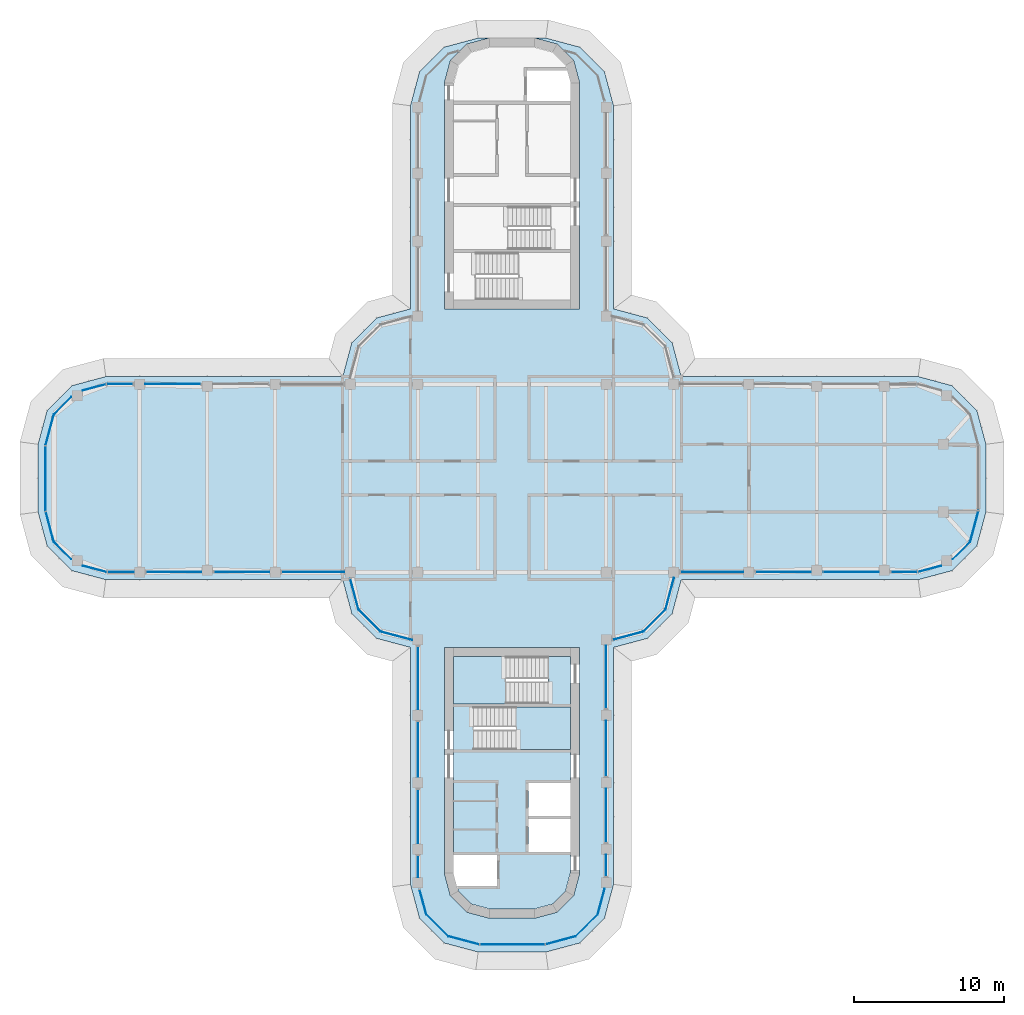
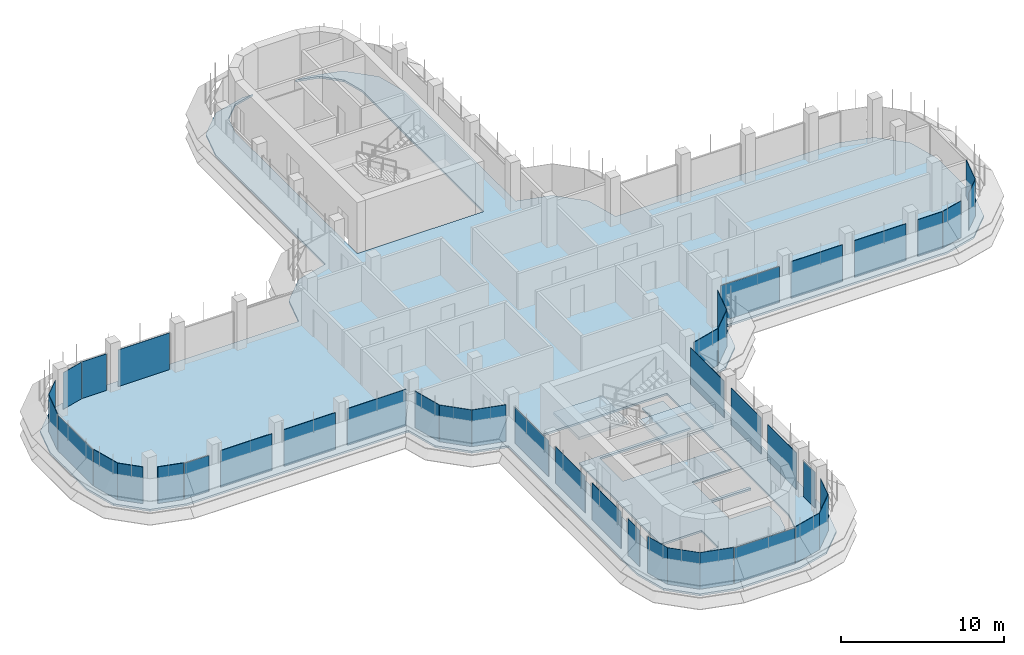
# One storey, part 11 of 19: 41 plates, 4 slabs, 30 elements without a shape of their own.
"""IFC4 building model written with IfcOpenShell, lengths in metres."""

from ifc_helpers import new_model, si_unit, direction, frame, origin, place, context, subcontext, project, spatial, polyline, outline, extrude, source, transform, mapped, material, layer, layer_set, type_object, element, aggregate, save


model = new_model("IFC4")

# Units and contexts
model_context = context("Model", 3, precision=1e-05, world=origin(), true_north=direction((0.0, 1.0)))
body_context = subcontext(model_context, "Body", "Model", "MODEL_VIEW")
ifc_project = project(units=[si_unit("LENGTHUNIT", "METRE"), si_unit("AREAUNIT", "SQUARE_METRE"), si_unit("VOLUMEUNIT", "CUBIC_METRE"), si_unit("PLANEANGLEUNIT", "RADIAN"), si_unit("MASSUNIT", "GRAM", prefix="KILO")], contexts=[model_context])

# Site, building, storey
site_placement = place(None, origin())
site = spatial("IfcSite", under=ifc_project, at=site_placement, CompositionType="ELEMENT")
building_placement = place(site_placement, origin())
building = spatial("IfcBuilding", under=site, at=building_placement, Name="Zarbagh Exchange Tower", CompositionType="ELEMENT")
storey_placement = place(building_placement, frame((0.0, 0.0, 233.39990234375)))
storey = spatial("IfcBuildingStorey", under=building, at=storey_placement, Name="L57", CompositionType="ELEMENT", Elevation=233.39990234375)

# Slabs
ifc_material_1 = material(Name="Concrete C40/50", Category="concrete")
ifc_layer_1 = layer(ifc_material_1, 0.14990234375)
ifc_layer_set_1 = layer_set([ifc_layer_1], Name="Composite floor slab 150 C40/50")
slab_type_1 = type_object("IfcSlabType", Name="Composite floor slab 150 C40/50", PredefinedType="FLOOR", material=ifc_layer_set_1)
slab_1_placement = place(storey_placement, frame((0.0, 0.0, -0.14990234375)))
element("IfcSlab", 1, at=slab_1_placement, inside=storey, type_object=slab_type_1, Name="S5 composite floor slab", PredefinedType="FLOOR", context=body_context, shape_type="SweptSolid", body=[
    extrude(outline(polyline([(-2.25, -31.5), (-4.5, -30.897216796875), (-6.147216796875, -29.25), (-6.75, -27.0), (-6.75, -11.25), (-9.0, -10.647216796875), (-10.647216796875, -9.0), (-11.25, -6.75), (-27.0, -6.75), (-29.25, -6.147216796875), (-30.897216796875, -4.5), (-31.5, -2.25), (-31.5, 2.25), (-30.897216796875, 4.5), (-29.25, 6.147216796875), (-27.0, 6.75), (-11.25, 6.75), (-10.647216796875, 9.0), (-9.0, 10.647216796875), (-6.75, 11.25), (-6.75, 24.75), (-6.147216796875, 27.0), (-4.5, 28.647216796875), (-2.25, 29.25), (-1.5, 29.25), (-3.0, 28.84814453125), (-4.09814453125, 27.75), (-4.5, 26.25), (-4.5, 11.25), (4.5, 11.25), (4.5, 26.25), (4.09814453125, 27.75), (3.0, 28.84814453125), (1.5, 29.25), (2.25, 29.25), (4.5, 28.647216796875), (6.147216796875, 27.0), (6.75, 24.75), (6.75, 11.25), (9.0, 10.647216796875), (10.647216796875, 9.0), (11.25, 6.75), (27.0, 6.75), (29.25, 6.147216796875), (30.897216796875, 4.5), (31.5, 2.25), (31.5, -2.25), (30.897216796875, -4.5), (29.25, -6.147216796875), (27.0, -6.75), (11.25, -6.75), (10.647216796875, -9.0), (9.0, -10.647216796875), (6.75, -11.25), (6.75, -27.0), (6.147216796875, -29.25), (4.5, -30.897216796875), (2.25, -31.5), (-2.25, -31.5)]), holes=[polyline([(-1.5, -29.25), (1.5, -29.25), (3.0, -28.84814453125), (4.09814453125, -27.75), (4.5, -26.25), (4.5, -11.25), (-4.5, -11.25), (-4.5, -26.25), (-4.09814453125, -27.75), (-3.0, -28.84814453125), (-1.5, -29.25)])]), origin(), (0.0, 0.0, 1.0), 0.14990234375),
])
ifc_layer_2 = layer(ifc_material_1, 0.14990234375)
ifc_layer_set_2 = layer_set([ifc_layer_2], Name="Core floor slab 150 C40/50")
slab_type_2 = type_object("IfcSlabType", Name="Core floor slab 150 C40/50", PredefinedType="FLOOR", material=ifc_layer_set_2)
slab_2_placement = place(storey_placement, frame((0.0, 0.0, -0.14990234375)))
element("IfcSlab", 2, at=slab_2_placement, inside=storey, type_object=slab_type_2, Name="S17 core S", PredefinedType="FLOOR", context=body_context, shape_type="SweptSolid", body=[
    extrude(outline(polyline([(-2.689453125, -28.31005859375), (-3.56005859375, -27.439453125), (-3.651123046875, -27.10009765625), (-1.0, -27.10009765625), (-1.0, -25.050048828125), (-3.89990234375, -25.050048828125), (-3.89990234375, -15.0), (2.39990234375, -15.0), (2.39990234375, -11.85009765625), (3.89990234375, -11.85009765625), (3.89990234375, -15.199951171875), (-2.550048828125, -15.199951171875), (-2.550048828125, -18.050048828125), (3.89990234375, -18.050048828125), (3.89990234375, -20.25), (1.10009765625, -20.25), (1.10009765625, -22.449951171875), (3.89990234375, -22.449951171875), (3.89990234375, -22.64990234375), (1.10009765625, -22.64990234375), (1.10009765625, -24.85009765625), (3.89990234375, -24.85009765625), (3.89990234375, -26.1708984375), (3.56005859375, -27.439453125), (2.689453125, -28.31005859375), (1.4208984375, -28.64990234375), (-1.4208984375, -28.64990234375), (-2.689453125, -28.31005859375)])), origin(), (0.0, 0.0, 1.0), 0.14990234375),
])

# Stair, slab
stair_type = type_object("IfcStairType", Name="Exit stair two-flight half-turn", PredefinedType="HALF_TURN_STAIR", material=ifc_material_1)
stair_1_placement = place(storey_placement, origin())
stair_1 = element("IfcStair", 3, at=stair_1_placement, inside=storey, type_object=stair_type, Name="exit stair ST3", PredefinedType="HALF_TURN_STAIR")
ifc_layer_3 = layer(ifc_material_1, 0.199951171875)
ifc_layer_set_3 = layer_set([ifc_layer_3], Name="Stair landing 200 mm")
slab_type_3 = type_object("IfcSlabType", Name="Stair landing 200 mm", PredefinedType="LANDING", material=ifc_layer_set_3)
slab_3_placement = place(storey_placement, frame((0.0, 0.0, 1.7001953125)))
slab_3 = element("IfcSlab", 4, at=slab_3_placement, type_object=slab_type_3, Name="ST3 landing 1", PredefinedType="LANDING", context=body_context, shape_type="SweptSolid", body=[
    extrude(outline(polyline([(0.25, -18.050048828125), (3.89990234375, -18.050048828125), (3.89990234375, -15.199951171875), (0.25, -15.199951171875), (0.25, -18.050048828125)])), origin(), (0.0, 0.0, 1.0), 0.199951171875),
])
aggregate(stair_1, [slab_3])

stair_2_placement = place(storey_placement, origin())
stair_2 = element("IfcStair", 5, at=stair_2_placement, inside=storey, type_object=stair_type, Name="exit stair ST4", PredefinedType="HALF_TURN_STAIR")
slab_4_placement = place(storey_placement, frame((0.0, 0.0, 1.7001953125)))
slab_4 = element("IfcSlab", 6, at=slab_4_placement, type_object=slab_type_3, Name="ST4 landing 1", PredefinedType="LANDING", context=body_context, shape_type="SweptSolid", body=[
    extrude(outline(polyline([(-0.39990234375, -11.85009765625), (-3.89990234375, -11.85009765625), (-3.89990234375, -15.0), (-0.39990234375, -15.0), (-0.39990234375, -11.85009765625)])), origin(), (0.0, 0.0, 1.0), 0.199951171875),
])
aggregate(stair_2, [slab_4])

# Curtain wall, plate
ifc_material_2 = material(Name="Anodised aluminium frame and glazing", Category="aluminium")
curtain_wall_type = type_object("IfcCurtainWallType", Name="CWB Ribbon glazing, upper zones", PredefinedType="NOTDEFINED", material=ifc_material_2)
curtain_wall_1_placement = place(storey_placement, origin())
curtain_wall_1 = element("IfcCurtainWall", 7, at=curtain_wall_1_placement, inside=storey, type_object=curtain_wall_type, Name="CWB50 curtain wall", PredefinedType="NOTDEFINED")
ifc_material_3 = material(Name="Low-e double glazed unit, 6+12+6 mm")
ifc_layer_4 = layer(ifc_material_3, 0.031982421875)
ifc_layer_set_4 = layer_set([ifc_layer_4], Name="PAB Glazing panel, Low-e double glazed unit, 6+12+6 mm")
plate_type = type_object("IfcPlateType", Name="PAB Glazing panel, Low-e double glazed unit, 6+12+6 mm", PredefinedType="CURTAIN_PANEL", material=ifc_layer_set_4)
shared_shape_1 = source(origin(), body_context, "Body", "SweptSolid", [
    extrude(outline(polyline([(0.0, -0.01611328125), (2.061279296875, -0.01611328125), (2.061279296875, 0.01611328125), (0.0, 0.01611328125), (0.0, -0.01611328125)])), origin(), (0.0, 0.0, 1.0), 2.75),
])
placement = place(storey_placement, origin())
plate_1 = element("IfcPlate", 8, at=placement, type_object=plate_type, Name="CWB50 glazing panel 1.1", PredefinedType="CURTAIN_PANEL", context=body_context, shape_type="MappedRepresentation", body=[
    mapped(shared_shape_1, transform((4.2412109375, -30.44873046875, 0.0), x_axis=(0.707106781187, 0.707106781187, 0.0), y_axis=(-0.707106781187, 0.707106781187, 0.0), z_axis=(0.0, 0.0, 1.0))),
])
aggregate(curtain_wall_1, [plate_1])

curtain_wall_2_placement = place(storey_placement, origin())
curtain_wall_2 = element("IfcCurtainWall", 9, at=curtain_wall_2_placement, inside=storey, type_object=curtain_wall_type, Name="CWB06 curtain wall", PredefinedType="NOTDEFINED")
plate_2 = element("IfcPlate", 10, at=placement, type_object=plate_type, Name="CWB06 glazing panel 1.1", PredefinedType="CURTAIN_PANEL", context=body_context, shape_type="MappedRepresentation", body=[
    mapped(shared_shape_1, transform((8.7412109375, -10.19873046875, 0.0), x_axis=(0.707106781187, 0.707106781187, 0.0), y_axis=(-0.707106781187, 0.707106781187, 0.0), z_axis=(0.0, 0.0, 1.0))),
])
aggregate(curtain_wall_2, [plate_2])

curtain_wall_3_placement = place(storey_placement, origin())
curtain_wall_3 = element("IfcCurtainWall", 11, at=curtain_wall_3_placement, inside=storey, type_object=curtain_wall_type, Name="CWB42 curtain wall", PredefinedType="NOTDEFINED")
plate_3 = element("IfcPlate", 12, at=placement, type_object=plate_type, Name="CWB42 glazing panel 1.1", PredefinedType="CURTAIN_PANEL", context=body_context, shape_type="MappedRepresentation", body=[
    mapped(shared_shape_1, transform((-10.19873046875, -8.7412109375, 0.0), x_axis=(0.707106781187, -0.707106781187, 0.0), y_axis=(0.707106781187, 0.707106781187, 0.0), z_axis=(0.0, 0.0, 1.0))),
])
aggregate(curtain_wall_3, [plate_3])

curtain_wall_4_placement = place(storey_placement, origin())
curtain_wall_4 = element("IfcCurtainWall", 13, at=curtain_wall_4_placement, inside=storey, type_object=curtain_wall_type, Name="CWB55 curtain wall", PredefinedType="NOTDEFINED")
plate_4 = element("IfcPlate", 14, at=placement, type_object=plate_type, Name="CWB55 glazing panel 1.1", PredefinedType="CURTAIN_PANEL", context=body_context, shape_type="MappedRepresentation", body=[
    mapped(shared_shape_1, transform((-5.69873046875, -28.9912109375, 0.0), x_axis=(0.707106781187, -0.707106781187, 0.0), y_axis=(0.707106781187, 0.707106781187, 0.0), z_axis=(0.0, 0.0, 1.0))),
])
aggregate(curtain_wall_4, [plate_4])

curtain_wall_5_placement = place(storey_placement, origin())
curtain_wall_5 = element("IfcCurtainWall", 15, at=curtain_wall_5_placement, inside=storey, type_object=curtain_wall_type, Name="CWB11 curtain wall", PredefinedType="NOTDEFINED")
shared_shape_2 = source(origin(), body_context, "Body", "SweptSolid", [
    extrude(outline(polyline([(0.0, -0.01611328125), (2.129638671875, -0.01611328125), (2.129638671875, 0.01611328125), (0.0, 0.01611328125), (0.0, -0.01611328125)])), origin(), (0.0, 0.0, 1.0), 2.75),
])
plate_5 = element("IfcPlate", 16, at=placement, type_object=plate_type, Name="CWB11 glazing panel 1.1", PredefinedType="CURTAIN_PANEL", context=body_context, shape_type="MappedRepresentation", body=[
    mapped(shared_shape_2, transform((30.44873046875, -4.2412109375, 0.0), x_axis=(0.258824779902, 0.965924289636, 0.0), y_axis=(-0.965924289636, 0.258824779902, 0.0), z_axis=(0.0, 0.0, 1.0))),
])
aggregate(curtain_wall_5, [plate_5])

curtain_wall_6_placement = place(storey_placement, origin())
curtain_wall_6 = element("IfcCurtainWall", 17, at=curtain_wall_6_placement, inside=storey, type_object=curtain_wall_type, Name="CWB61 curtain wall", PredefinedType="NOTDEFINED")
plate_6 = element("IfcPlate", 18, at=placement, type_object=plate_type, Name="CWB61 glazing panel 1.1", PredefinedType="CURTAIN_PANEL", context=body_context, shape_type="MappedRepresentation", body=[
    mapped(shared_shape_2, transform((-30.44873046875, 4.2412109375, 0.0), x_axis=(-0.258824779902, -0.965924289636, 0.0), y_axis=(0.965924289636, -0.258824779902, 0.0), z_axis=(0.0, 0.0, 1.0))),
])
aggregate(curtain_wall_6, [plate_6])

curtain_wall_7_placement = place(storey_placement, origin())
curtain_wall_7 = element("IfcCurtainWall", 19, at=curtain_wall_7_placement, inside=storey, type_object=curtain_wall_type, Name="CWB56 curtain wall", PredefinedType="NOTDEFINED")
plate_7 = element("IfcPlate", 20, at=placement, type_object=plate_type, Name="CWB56 glazing panel 1.1", PredefinedType="CURTAIN_PANEL", context=body_context, shape_type="MappedRepresentation", body=[
    mapped(shared_shape_2, transform((-4.2412109375, -30.44873046875, 0.0), x_axis=(0.965924289636, -0.258824779902, 0.0), y_axis=(0.258824779902, 0.965924289636, 0.0), z_axis=(0.0, 0.0, 1.0))),
])
aggregate(curtain_wall_7, [plate_7])

curtain_wall_8_placement = place(storey_placement, origin())
curtain_wall_8 = element("IfcCurtainWall", 21, at=curtain_wall_8_placement, inside=storey, type_object=curtain_wall_type, Name="CWB52 curtain wall", PredefinedType="NOTDEFINED")
shared_shape_3 = source(origin(), body_context, "Body", "SweptSolid", [
    extrude(outline(polyline([(0.0, -0.01611328125), (3.56005859375, -0.01611328125), (3.56005859375, 0.01611328125), (0.0, 0.01611328125), (0.0, -0.01611328125)])), origin(), (0.0, 0.0, 1.0), 2.75),
])
plate_8 = element("IfcPlate", 22, at=placement, type_object=plate_type, Name="CWB52 glazing panel 2.1", PredefinedType="CURTAIN_PANEL", context=body_context, shape_type="MappedRepresentation", body=[
    mapped(shared_shape_3, transform((6.25, -24.199951171875, 0.0), x_axis=(0.0, 1.0, 0.0), y_axis=(-1.0, 0.0, 0.0), z_axis=(0.0, 0.0, 1.0))),
])

curtain_wall_9_placement = place(storey_placement, origin())
curtain_wall_9 = element("IfcCurtainWall", 23, at=curtain_wall_9_placement, inside=storey, type_object=curtain_wall_type, Name="CWB53 curtain wall", PredefinedType="NOTDEFINED")
plate_9 = element("IfcPlate", 24, at=placement, type_object=plate_type, Name="CWB53 glazing panel 3.1", PredefinedType="CURTAIN_PANEL", context=body_context, shape_type="MappedRepresentation", body=[
    mapped(shared_shape_3, transform((-6.25, -20.699951171875, 0.0), x_axis=(0.0, -1.0, 0.0), y_axis=(1.0, 0.0, 0.0), z_axis=(0.0, 0.0, 1.0))),
])

curtain_wall_10_placement = place(storey_placement, origin())
curtain_wall_10 = element("IfcCurtainWall", 25, at=curtain_wall_10_placement, inside=storey, type_object=curtain_wall_type, Name="CWB66 curtain wall", PredefinedType="NOTDEFINED")
shared_shape_4 = source(origin(), body_context, "Body", "SweptSolid", [
    extrude(outline(polyline([(0.0, -0.01611328125), (4.308349609375, -0.01611328125), (4.308349609375, 0.01611328125), (0.0, 0.01611328125), (0.0, -0.01611328125)])), origin(), (0.0, 0.0, 1.0), 2.68994140625),
])
plate_10 = element("IfcPlate", 26, at=placement, type_object=plate_type, Name="CWB66 glazing panel 1.1", PredefinedType="CURTAIN_PANEL", context=body_context, shape_type="MappedRepresentation", body=[
    mapped(shared_shape_4, transform((-31.0, 2.124267578125, 0.0), x_axis=(0.0, -1.0, 0.0), y_axis=(1.0, 0.0, 0.0), z_axis=(0.0, 0.0, 1.0))),
])
aggregate(curtain_wall_10, [plate_10])

curtain_wall_11_placement = place(storey_placement, origin())
curtain_wall_11 = element("IfcCurtainWall", 27, at=curtain_wall_11_placement, inside=storey, type_object=curtain_wall_type, Name="CWB57 curtain wall", PredefinedType="NOTDEFINED")
plate_11 = element("IfcPlate", 28, at=placement, type_object=plate_type, Name="CWB57 glazing panel 1.1", PredefinedType="CURTAIN_PANEL", context=body_context, shape_type="MappedRepresentation", body=[
    mapped(shared_shape_4, transform((-2.124267578125, -31.0, 0.0), x_axis=(1.0, 0.0, 0.0), y_axis=(0.0, 1.0, 0.0), z_axis=(0.0, 0.0, 1.0))),
])
aggregate(curtain_wall_11, [plate_11])

curtain_wall_12_placement = place(storey_placement, origin())
curtain_wall_12 = element("IfcCurtainWall", 29, at=curtain_wall_12_placement, inside=storey, type_object=curtain_wall_type, Name="CWB49 curtain wall", PredefinedType="NOTDEFINED")
shared_shape_5 = source(origin(), body_context, "Body", "SweptSolid", [
    extrude(outline(polyline([(0.0, -0.01611328125), (2.069580078125, -0.01611328125), (2.069580078125, 0.01611328125), (0.0, 0.01611328125), (0.0, -0.01611328125)])), origin(), (0.0, 0.0, 1.0), 2.75),
])
plate_12 = element("IfcPlate", 30, at=placement, type_object=plate_type, Name="CWB49 glazing panel 1.1", PredefinedType="CURTAIN_PANEL", context=body_context, shape_type="MappedRepresentation", body=[
    mapped(shared_shape_5, transform((2.2421875, -30.984375, 0.0), x_axis=(0.965924289636, 0.258824779902, 0.0), y_axis=(-0.258824779902, 0.965924289636, 0.0), z_axis=(0.0, 0.0, 1.0))),
])
aggregate(curtain_wall_12, [plate_12])

curtain_wall_13_placement = place(storey_placement, origin())
curtain_wall_13 = element("IfcCurtainWall", 31, at=curtain_wall_13_placement, inside=storey, type_object=curtain_wall_type, Name="CWB62 curtain wall", PredefinedType="NOTDEFINED")
plate_13 = element("IfcPlate", 32, at=placement, type_object=plate_type, Name="CWB62 glazing panel 1.1", PredefinedType="CURTAIN_PANEL", context=body_context, shape_type="MappedRepresentation", body=[
    mapped(shared_shape_5, transform((-30.984375, -2.2421875, 0.0), x_axis=(0.258824779902, -0.965924289636, 0.0), y_axis=(0.965924289636, 0.258824779902, 0.0), z_axis=(0.0, 0.0, 1.0))),
])
aggregate(curtain_wall_13, [plate_13])

curtain_wall_14_placement = place(storey_placement, origin())
curtain_wall_14 = element("IfcCurtainWall", 33, at=curtain_wall_14_placement, inside=storey, type_object=curtain_wall_type, Name="CWB51 curtain wall", PredefinedType="NOTDEFINED")
shared_shape_6 = source(origin(), body_context, "Body", "SweptSolid", [
    extrude(outline(polyline([(0.0, -0.01611328125), (1.76123046875, -0.01611328125), (1.76123046875, 0.01611328125), (0.0, 0.01611328125), (0.0, -0.01611328125)])), origin(), (0.0, 0.0, 1.0), 2.75),
])
plate_14 = element("IfcPlate", 34, at=placement, type_object=plate_type, Name="CWB51 glazing panel 1.1", PredefinedType="CURTAIN_PANEL", context=body_context, shape_type="MappedRepresentation", body=[
    mapped(shared_shape_6, transform((5.69873046875, -28.9912109375, 0.0), x_axis=(0.258824779902, 0.965924289636, 0.0), y_axis=(-0.965924289636, 0.258824779902, 0.0), z_axis=(0.0, 0.0, 1.0))),
])
aggregate(curtain_wall_14, [plate_14])

# Plate
shared_shape_7 = source(origin(), body_context, "Body", "SweptSolid", [
    extrude(outline(polyline([(0.0, -0.01611328125), (1.409912109375, -0.01611328125), (1.409912109375, 0.01611328125), (0.0, 0.01611328125), (0.0, -0.01611328125)])), origin(), (0.0, 0.0, 1.0), 2.68994140625),
])
plate_15 = element("IfcPlate", 35, at=placement, type_object=plate_type, Name="CWB52 glazing panel 1.1", PredefinedType="CURTAIN_PANEL", context=body_context, shape_type="MappedRepresentation", body=[
    mapped(shared_shape_7, transform((6.25, -26.449951171875, 0.0), x_axis=(0.0, 1.0, 0.0), y_axis=(-1.0, 0.0, 0.0), z_axis=(0.0, 0.0, 1.0))),
])

shared_shape_8 = source(origin(), body_context, "Body", "SweptSolid", [
    extrude(outline(polyline([(0.0, -0.01611328125), (3.659912109375, -0.01611328125), (3.659912109375, 0.01611328125), (0.0, 0.01611328125), (0.0, -0.01611328125)])), origin(), (0.0, 0.0, 1.0), 2.75),
])
plate_16 = element("IfcPlate", 36, at=placement, type_object=plate_type, Name="CWB52 glazing panel 3.1", PredefinedType="CURTAIN_PANEL", context=body_context, shape_type="MappedRepresentation", body=[
    mapped(shared_shape_8, transform((6.25, -19.800048828125, 0.0), x_axis=(0.0, 1.0, 0.0), y_axis=(-1.0, 0.0, 0.0), z_axis=(0.0, 0.0, 1.0))),
])

# Curtain wall, plates
curtain_wall_15_placement = place(storey_placement, origin())
curtain_wall_15 = element("IfcCurtainWall", 37, at=curtain_wall_15_placement, inside=storey, type_object=curtain_wall_type, Name="CWB08 curtain wall", PredefinedType="NOTDEFINED")
plate_17 = element("IfcPlate", 38, at=placement, type_object=plate_type, Name="CWB08 glazing panel 2.1", PredefinedType="CURTAIN_PANEL", context=body_context, shape_type="MappedRepresentation", body=[
    mapped(shared_shape_8, transform((16.199951171875, -6.25, 0.0), x_axis=(1.0, 0.0, 0.0), y_axis=(0.0, 1.0, 0.0), z_axis=(0.0, 0.0, 1.0))),
])
plate_18 = element("IfcPlate", 39, at=placement, type_object=plate_type, Name="CWB08 glazing panel 3.1", PredefinedType="CURTAIN_PANEL", context=body_context, shape_type="MappedRepresentation", body=[
    mapped(shared_shape_8, transform((20.699951171875, -6.25, 0.0), x_axis=(1.0, 0.0, 0.0), y_axis=(0.0, 1.0, 0.0), z_axis=(0.0, 0.0, 1.0))),
])

# Curtain wall, plate
curtain_wall_16_placement = place(storey_placement, origin())
curtain_wall_16 = element("IfcCurtainWall", 40, at=curtain_wall_16_placement, inside=storey, type_object=curtain_wall_type, Name="CWB58 curtain wall", PredefinedType="NOTDEFINED")
plate_19 = element("IfcPlate", 41, at=placement, type_object=plate_type, Name="CWB58 glazing panel 3.1", PredefinedType="CURTAIN_PANEL", context=body_context, shape_type="MappedRepresentation", body=[
    mapped(shared_shape_8, transform((-20.699951171875, 6.25, 0.0), x_axis=(-1.0, 0.0, 0.0), y_axis=(0.0, -1.0, 0.0), z_axis=(0.0, 0.0, 1.0))),
])

# Curtain wall, plates
curtain_wall_17_placement = place(storey_placement, origin())
curtain_wall_17 = element("IfcCurtainWall", 42, at=curtain_wall_17_placement, inside=storey, type_object=curtain_wall_type, Name="CWB65 curtain wall", PredefinedType="NOTDEFINED")
plate_20 = element("IfcPlate", 43, at=placement, type_object=plate_type, Name="CWB65 glazing panel 2.1", PredefinedType="CURTAIN_PANEL", context=body_context, shape_type="MappedRepresentation", body=[
    mapped(shared_shape_8, transform((-24.300048828125, -6.25, 0.0), x_axis=(1.0, 0.0, 0.0), y_axis=(0.0, 1.0, 0.0), z_axis=(0.0, 0.0, 1.0))),
])
plate_21 = element("IfcPlate", 44, at=placement, type_object=plate_type, Name="CWB65 glazing panel 3.1", PredefinedType="CURTAIN_PANEL", context=body_context, shape_type="MappedRepresentation", body=[
    mapped(shared_shape_8, transform((-19.800048828125, -6.25, 0.0), x_axis=(1.0, 0.0, 0.0), y_axis=(0.0, 1.0, 0.0), z_axis=(0.0, 0.0, 1.0))),
])

# Plate
plate_22 = element("IfcPlate", 45, at=placement, type_object=plate_type, Name="CWB53 glazing panel 2.1", PredefinedType="CURTAIN_PANEL", context=body_context, shape_type="MappedRepresentation", body=[
    mapped(shared_shape_8, transform((-6.25, -16.199951171875, 0.0), x_axis=(0.0, -1.0, 0.0), y_axis=(1.0, 0.0, 0.0), z_axis=(0.0, 0.0, 1.0))),
])

shared_shape_9 = source(origin(), body_context, "Body", "SweptSolid", [
    extrude(outline(polyline([(0.0, -0.01611328125), (4.159912109375, -0.01611328125), (4.159912109375, 0.01611328125), (0.0, 0.01611328125), (0.0, -0.01611328125)])), origin(), (0.0, 0.0, 1.0), 2.75),
])
plate_23 = element("IfcPlate", 46, at=placement, type_object=plate_type, Name="CWB52 glazing panel 4.1", PredefinedType="CURTAIN_PANEL", context=body_context, shape_type="MappedRepresentation", body=[
    mapped(shared_shape_9, transform((6.25, -15.300048828125, 0.0), x_axis=(0.0, 1.0, 0.0), y_axis=(-1.0, 0.0, 0.0), z_axis=(0.0, 0.0, 1.0))),
])

aggregate(curtain_wall_8, [plate_15, plate_8, plate_16, plate_23])

plate_24 = element("IfcPlate", 47, at=placement, type_object=plate_type, Name="CWB65 glazing panel 4.1", PredefinedType="CURTAIN_PANEL", context=body_context, shape_type="MappedRepresentation", body=[
    mapped(shared_shape_9, transform((-15.300048828125, -6.25, 0.0), x_axis=(1.0, 0.0, 0.0), y_axis=(0.0, 1.0, 0.0), z_axis=(0.0, 0.0, 1.0))),
])

# Curtain wall, plate
curtain_wall_18_placement = place(storey_placement, origin())
curtain_wall_18 = element("IfcCurtainWall", 48, at=curtain_wall_18_placement, inside=storey, type_object=curtain_wall_type, Name="CWB05 curtain wall", PredefinedType="NOTDEFINED")
shared_shape_10 = source(origin(), body_context, "Body", "SweptSolid", [
    extrude(outline(polyline([(0.0, -0.01611328125), (2.115234375, -0.01611328125), (2.115234375, 0.01611328125), (0.0, 0.01611328125), (0.0, -0.01611328125)])), origin(), (0.0, 0.0, 1.0), 2.75),
])
plate_25 = element("IfcPlate", 49, at=placement, type_object=plate_type, Name="CWB05 glazing panel 1.1", PredefinedType="CURTAIN_PANEL", context=body_context, shape_type="MappedRepresentation", body=[
    mapped(shared_shape_10, transform((6.697998046875, -10.746337890625, 0.0), x_axis=(0.965924289636, 0.258824779902, 0.0), y_axis=(-0.258824779902, 0.965924289636, 0.0), z_axis=(0.0, 0.0, 1.0))),
])
aggregate(curtain_wall_18, [plate_25])

curtain_wall_19_placement = place(storey_placement, origin())
curtain_wall_19 = element("IfcCurtainWall", 50, at=curtain_wall_19_placement, inside=storey, type_object=curtain_wall_type, Name="CWB41 curtain wall", PredefinedType="NOTDEFINED")
plate_26 = element("IfcPlate", 51, at=placement, type_object=plate_type, Name="CWB41 glazing panel 1.1", PredefinedType="CURTAIN_PANEL", context=body_context, shape_type="MappedRepresentation", body=[
    mapped(shared_shape_10, transform((-10.746337890625, -6.697998046875, 0.0), x_axis=(0.258824779902, -0.965924289636, 0.0), y_axis=(0.965924289636, 0.258824779902, 0.0), z_axis=(0.0, 0.0, 1.0))),
])
aggregate(curtain_wall_19, [plate_26])

curtain_wall_20_placement = place(storey_placement, origin())
curtain_wall_20 = element("IfcCurtainWall", 52, at=curtain_wall_20_placement, inside=storey, type_object=curtain_wall_type, Name="CWB07 curtain wall", PredefinedType="NOTDEFINED")
shared_shape_11 = source(origin(), body_context, "Body", "SweptSolid", [
    extrude(outline(polyline([(0.0, -0.01611328125), (2.17529296875, -0.01611328125), (2.17529296875, 0.01611328125), (0.0, 0.01611328125), (0.0, -0.01611328125)])), origin(), (0.0, 0.0, 1.0), 2.75),
])
plate_27 = element("IfcPlate", 53, at=placement, type_object=plate_type, Name="CWB07 glazing panel 1.1", PredefinedType="CURTAIN_PANEL", context=body_context, shape_type="MappedRepresentation", body=[
    mapped(shared_shape_11, transform((10.19873046875, -8.7412109375, 0.0), x_axis=(0.258824779902, 0.965924289636, 0.0), y_axis=(-0.965924289636, 0.258824779902, 0.0), z_axis=(0.0, 0.0, 1.0))),
])
aggregate(curtain_wall_20, [plate_27])

curtain_wall_21_placement = place(storey_placement, origin())
curtain_wall_21 = element("IfcCurtainWall", 54, at=curtain_wall_21_placement, inside=storey, type_object=curtain_wall_type, Name="CWB43 curtain wall", PredefinedType="NOTDEFINED")
plate_28 = element("IfcPlate", 55, at=placement, type_object=plate_type, Name="CWB43 glazing panel 1.1", PredefinedType="CURTAIN_PANEL", context=body_context, shape_type="MappedRepresentation", body=[
    mapped(shared_shape_11, transform((-8.7412109375, -10.19873046875, 0.0), x_axis=(0.965924289636, -0.258824779902, 0.0), y_axis=(0.258824779902, 0.965924289636, 0.0), z_axis=(0.0, 0.0, 1.0))),
])
aggregate(curtain_wall_21, [plate_28])

# Plate
shared_shape_12 = source(origin(), body_context, "Body", "SweptSolid", [
    extrude(outline(polyline([(0.0, -0.01611328125), (4.159912109375, -0.01611328125), (4.159912109375, 0.01611328125), (0.0, 0.01611328125), (0.0, -0.01611328125)])), origin(), (0.0, 0.0, 1.0), 2.68994140625),
])
plate_29 = element("IfcPlate", 56, at=placement, type_object=plate_type, Name="CWB08 glazing panel 1.1", PredefinedType="CURTAIN_PANEL", context=body_context, shape_type="MappedRepresentation", body=[
    mapped(shared_shape_12, transform((11.199951171875, -6.25, 0.0), x_axis=(1.0, 0.0, 0.0), y_axis=(0.0, 1.0, 0.0), z_axis=(0.0, 0.0, 1.0))),
])

plate_30 = element("IfcPlate", 57, at=placement, type_object=plate_type, Name="CWB53 glazing panel 1.1", PredefinedType="CURTAIN_PANEL", context=body_context, shape_type="MappedRepresentation", body=[
    mapped(shared_shape_12, transform((-6.25, -11.199951171875, 0.0), x_axis=(0.0, -1.0, 0.0), y_axis=(1.0, 0.0, 0.0), z_axis=(0.0, 0.0, 1.0))),
])

shared_shape_13 = source(origin(), body_context, "Body", "SweptSolid", [
    extrude(outline(polyline([(0.0, -0.01611328125), (1.734130859375, -0.01611328125), (1.734130859375, 0.01611328125), (0.0, 0.01611328125), (0.0, -0.01611328125)])), origin(), (0.0, 0.0, 1.0), 2.75),
])
plate_31 = element("IfcPlate", 58, at=placement, type_object=plate_type, Name="CWB08 glazing panel 4.1", PredefinedType="CURTAIN_PANEL", context=body_context, shape_type="MappedRepresentation", body=[
    mapped(shared_shape_13, transform((25.199951171875, -6.25, 0.0), x_axis=(1.0, 0.0, 0.0), y_axis=(0.0, 1.0, 0.0), z_axis=(0.0, 0.0, 1.0))),
])

aggregate(curtain_wall_15, [plate_29, plate_17, plate_18, plate_31])

plate_32 = element("IfcPlate", 59, at=placement, type_object=plate_type, Name="CWB58 glazing panel 4.1", PredefinedType="CURTAIN_PANEL", context=body_context, shape_type="MappedRepresentation", body=[
    mapped(shared_shape_13, transform((-25.199951171875, 6.25, 0.0), x_axis=(-1.0, 0.0, 0.0), y_axis=(0.0, -1.0, 0.0), z_axis=(0.0, 0.0, 1.0))),
])

aggregate(curtain_wall_16, [plate_19, plate_32])

# Curtain wall, plate
curtain_wall_22_placement = place(storey_placement, origin())
curtain_wall_22 = element("IfcCurtainWall", 60, at=curtain_wall_22_placement, inside=storey, type_object=curtain_wall_type, Name="CWB09 curtain wall", PredefinedType="NOTDEFINED")
shared_shape_14 = source(origin(), body_context, "Body", "SweptSolid", [
    extrude(outline(polyline([(0.0, -0.01611328125), (1.57958984375, -0.01611328125), (1.57958984375, 0.01611328125), (0.0, 0.01611328125), (0.0, -0.01611328125)])), origin(), (0.0, 0.0, 1.0), 2.75),
])
plate_33 = element("IfcPlate", 61, at=placement, type_object=plate_type, Name="CWB09 glazing panel 1.1", PredefinedType="CURTAIN_PANEL", context=body_context, shape_type="MappedRepresentation", body=[
    mapped(shared_shape_14, transform((26.9921875, -6.234375, 0.0), x_axis=(0.965924289636, 0.258824779902, 0.0), y_axis=(-0.258824779902, 0.965924289636, 0.0), z_axis=(0.0, 0.0, 1.0))),
])
aggregate(curtain_wall_22, [plate_33])

curtain_wall_23_placement = place(storey_placement, origin())
curtain_wall_23 = element("IfcCurtainWall", 62, at=curtain_wall_23_placement, inside=storey, type_object=curtain_wall_type, Name="CWB59 curtain wall", PredefinedType="NOTDEFINED")
plate_34 = element("IfcPlate", 63, at=placement, type_object=plate_type, Name="CWB59 glazing panel 1.1", PredefinedType="CURTAIN_PANEL", context=body_context, shape_type="MappedRepresentation", body=[
    mapped(shared_shape_14, transform((-26.9921875, 6.234375, 0.0), x_axis=(-0.965924289636, -0.258824779902, 0.0), y_axis=(0.258824779902, -0.965924289636, 0.0), z_axis=(0.0, 0.0, 1.0))),
])
aggregate(curtain_wall_23, [plate_34])

curtain_wall_24_placement = place(storey_placement, origin())
curtain_wall_24 = element("IfcCurtainWall", 64, at=curtain_wall_24_placement, inside=storey, type_object=curtain_wall_type, Name="CWB10 curtain wall", PredefinedType="NOTDEFINED")
shared_shape_15 = source(origin(), body_context, "Body", "SweptSolid", [
    extrude(outline(polyline([(0.0, -0.01611328125), (1.62744140625, -0.01611328125), (1.62744140625, 0.01611328125), (0.0, 0.01611328125), (0.0, -0.01611328125)])), origin(), (0.0, 0.0, 1.0), 2.75),
])
plate_35 = element("IfcPlate", 65, at=placement, type_object=plate_type, Name="CWB10 glazing panel 1.1", PredefinedType="CURTAIN_PANEL", context=body_context, shape_type="MappedRepresentation", body=[
    mapped(shared_shape_15, transform((29.298095703125, -5.39208984375, 0.0), x_axis=(0.707106781187, 0.707106781187, 0.0), y_axis=(-0.707106781187, 0.707106781187, 0.0), z_axis=(0.0, 0.0, 1.0))),
])
aggregate(curtain_wall_24, [plate_35])

curtain_wall_25_placement = place(storey_placement, origin())
curtain_wall_25 = element("IfcCurtainWall", 66, at=curtain_wall_25_placement, inside=storey, type_object=curtain_wall_type, Name="CWB60 curtain wall", PredefinedType="NOTDEFINED")
plate_36 = element("IfcPlate", 67, at=placement, type_object=plate_type, Name="CWB60 glazing panel 1.1", PredefinedType="CURTAIN_PANEL", context=body_context, shape_type="MappedRepresentation", body=[
    mapped(shared_shape_15, transform((-29.298095703125, 5.39208984375, 0.0), x_axis=(-0.707106781187, -0.707106781187, 0.0), y_axis=(0.707106781187, -0.707106781187, 0.0), z_axis=(0.0, 0.0, 1.0))),
])
aggregate(curtain_wall_25, [plate_36])

curtain_wall_26_placement = place(storey_placement, origin())
curtain_wall_26 = element("IfcCurtainWall", 68, at=curtain_wall_26_placement, inside=storey, type_object=curtain_wall_type, Name="CWB63 curtain wall", PredefinedType="NOTDEFINED")
plate_37 = element("IfcPlate", 69, at=placement, type_object=plate_type, Name="CWB63 glazing panel 1.1", PredefinedType="CURTAIN_PANEL", context=body_context, shape_type="MappedRepresentation", body=[
    mapped(shared_shape_15, transform((-30.44873046875, -4.2412109375, 0.0), x_axis=(0.707106781187, -0.707106781187, 0.0), y_axis=(0.707106781187, 0.707106781187, 0.0), z_axis=(0.0, 0.0, 1.0))),
])
aggregate(curtain_wall_26, [plate_37])

curtain_wall_27_placement = place(storey_placement, origin())
curtain_wall_27 = element("IfcCurtainWall", 70, at=curtain_wall_27_placement, inside=storey, type_object=curtain_wall_type, Name="CWB64 curtain wall", PredefinedType="NOTDEFINED")
shared_shape_16 = source(origin(), body_context, "Body", "SweptSolid", [
    extrude(outline(polyline([(0.0, -0.01611328125), (1.6396484375, -0.01611328125), (1.6396484375, 0.01611328125), (0.0, 0.01611328125), (0.0, -0.01611328125)])), origin(), (0.0, 0.0, 1.0), 2.75),
])
plate_38 = element("IfcPlate", 71, at=placement, type_object=plate_type, Name="CWB64 glazing panel 1.1", PredefinedType="CURTAIN_PANEL", context=body_context, shape_type="MappedRepresentation", body=[
    mapped(shared_shape_16, transform((-28.51806640625, -5.82568359375, 0.0), x_axis=(0.965924289636, -0.258824779902, 0.0), y_axis=(0.258824779902, 0.965924289636, 0.0), z_axis=(0.0, 0.0, 1.0))),
])
aggregate(curtain_wall_27, [plate_38])

# Plate
shared_shape_17 = source(origin(), body_context, "Body", "SweptSolid", [
    extrude(outline(polyline([(0.0, -0.01611328125), (1.734130859375, -0.01611328125), (1.734130859375, 0.01611328125), (0.0, 0.01611328125), (0.0, -0.01611328125)])), origin(), (0.0, 0.0, 1.0), 2.68994140625),
])
plate_39 = element("IfcPlate", 72, at=placement, type_object=plate_type, Name="CWB65 glazing panel 1.1", PredefinedType="CURTAIN_PANEL", context=body_context, shape_type="MappedRepresentation", body=[
    mapped(shared_shape_17, transform((-26.874267578125, -6.25, 0.0), x_axis=(1.0, 0.0, 0.0), y_axis=(0.0, 1.0, 0.0), z_axis=(0.0, 0.0, 1.0))),
])

aggregate(curtain_wall_17, [plate_39, plate_20, plate_21, plate_24])

shared_shape_18 = source(origin(), body_context, "Body", "SweptSolid", [
    extrude(outline(polyline([(0.0, -0.01611328125), (1.409912109375, -0.01611328125), (1.409912109375, 0.01611328125), (0.0, 0.01611328125), (0.0, -0.01611328125)])), origin(), (0.0, 0.0, 1.0), 2.75),
])
plate_40 = element("IfcPlate", 73, at=placement, type_object=plate_type, Name="CWB53 glazing panel 4.1", PredefinedType="CURTAIN_PANEL", context=body_context, shape_type="MappedRepresentation", body=[
    mapped(shared_shape_18, transform((-6.25, -25.10009765625, 0.0), x_axis=(0.0, -1.0, 0.0), y_axis=(1.0, 0.0, 0.0), z_axis=(0.0, 0.0, 1.0))),
])

aggregate(curtain_wall_9, [plate_30, plate_22, plate_9, plate_40])

# Curtain wall, plate
curtain_wall_28_placement = place(storey_placement, origin())
curtain_wall_28 = element("IfcCurtainWall", 74, at=curtain_wall_28_placement, inside=storey, type_object=curtain_wall_type, Name="CWB54 curtain wall", PredefinedType="NOTDEFINED")
shared_shape_19 = source(origin(), body_context, "Body", "SweptSolid", [
    extrude(outline(polyline([(0.0, -0.01611328125), (1.701171875, -0.01611328125), (1.701171875, 0.01611328125), (0.0, 0.01611328125), (0.0, -0.01611328125)])), origin(), (0.0, 0.0, 1.0), 2.75),
])
plate_41 = element("IfcPlate", 75, at=placement, type_object=plate_type, Name="CWB54 glazing panel 1.1", PredefinedType="CURTAIN_PANEL", context=body_context, shape_type="MappedRepresentation", body=[
    mapped(shared_shape_19, transform((-6.13916015625, -27.347900390625, 0.0), x_axis=(0.258824779902, -0.965924289636, 0.0), y_axis=(0.965924289636, 0.258824779902, 0.0), z_axis=(0.0, 0.0, 1.0))),
])
aggregate(curtain_wall_28, [plate_41])

save(model, "model.ifc")
